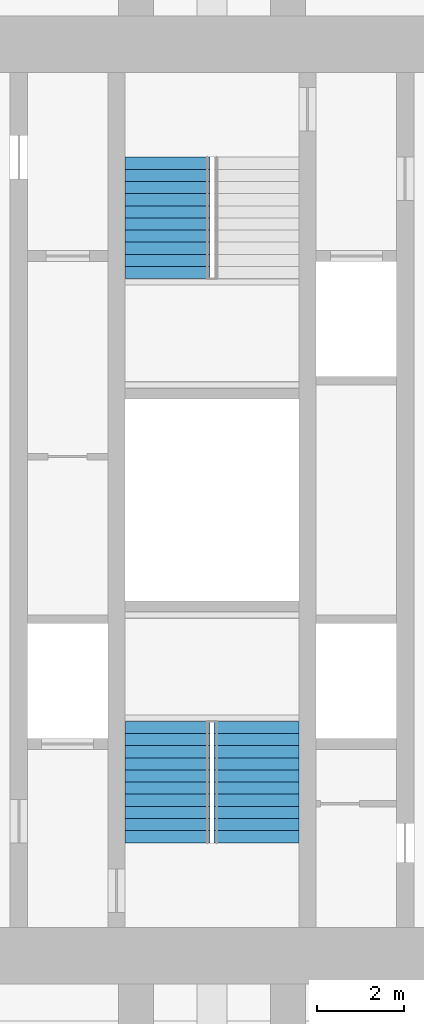
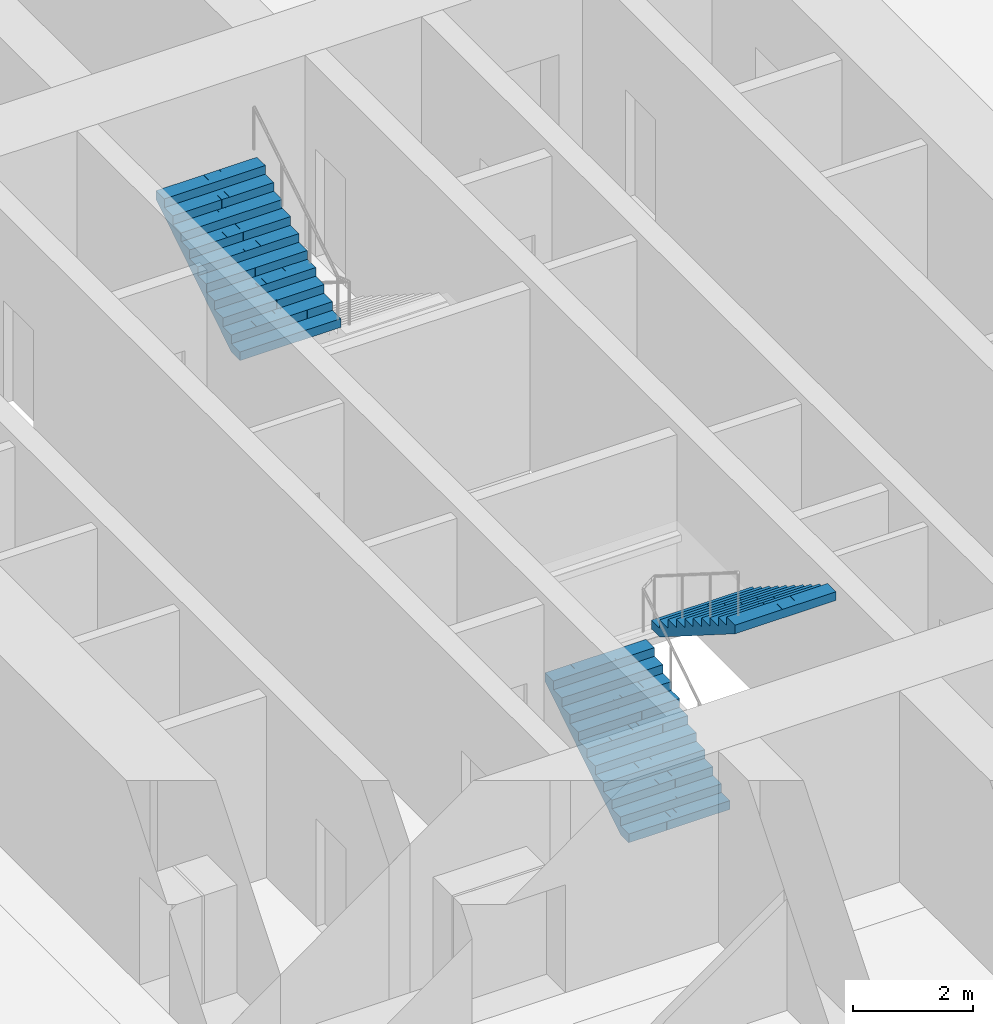
# One storey, part 20 of 22: 3 stair flights, 2 elements without a shape of their own.
"""IFC4 building model written with IfcOpenShell, lengths in metres."""

from ifc_helpers import new_model, si_unit, direction, frame, origin, place, context, subcontext, project, spatial, polyline, outline, extrude, material, type_object, element, aggregate, save


model = new_model("IFC4")

# Units and contexts
model_context = context("Model", 3, precision=1e-05, world=origin(), true_north=direction((0.0, 1.0)))
body_context = subcontext(model_context, "Body", "Model", "MODEL_VIEW")
ifc_project = project(units=[si_unit("LENGTHUNIT", "METRE"), si_unit("AREAUNIT", "SQUARE_METRE"), si_unit("VOLUMEUNIT", "CUBIC_METRE"), si_unit("PLANEANGLEUNIT", "RADIAN"), si_unit("MASSUNIT", "GRAM", prefix="KILO")], contexts=[model_context])

# Site, building, storey
site_placement = place(None, origin())
site = spatial("IfcSite", under=ifc_project, at=site_placement, CompositionType="ELEMENT")
building_placement = place(site_placement, origin())
building = spatial("IfcBuilding", under=site, at=building_placement, Name="Mizan Broadcast Tower", CompositionType="ELEMENT")
storey_placement = place(building_placement, frame((0.0, 0.0, 47.39990234375)))
storey = spatial("IfcBuildingStorey", under=building, at=storey_placement, Name="L08", CompositionType="ELEMENT", Elevation=47.39990234375)

# Stair, stair flights
ifc_material_1 = material(Name="Concrete C40/50", Category="concrete")
stair_type = type_object("IfcStairType", Name="EXIT STAIR", PredefinedType="HALF_TURN_STAIR", material=ifc_material_1)
stair_1_placement = place(storey_placement, origin())
stair_1 = element("IfcStair", 1, at=stair_1_placement, inside=storey, type_object=stair_type, Name="Stair A L08", PredefinedType="HALF_TURN_STAIR")
ifc_material_2 = material(Name="Concrete C40/50", Category="concrete")
stair_flight_type = type_object("IfcStairFlightType", Name="EXIT STAIR FLIGHT", PredefinedType="STRAIGHT", material=ifc_material_2)
stair_flight_1_placement = place(storey_placement, frame((-1.02490234375, -7.89990234375, 0.0), z_axis=(0.0, 0.0, 1.0), x_axis=(0.0, 1.0, 0.0)))
stair_flight_1 = element("IfcStairFlight", 2, at=stair_flight_1_placement, type_object=stair_flight_type, Name="A flight 1", NumberOfRisers=11, NumberOfTreads=10, PredefinedType="STRAIGHT", RiserHeight=0.177272727, TreadLength=0.28, context=body_context, shape_type="SweptSolid", body=[
    extrude(outline(polyline([(0.0, 0.0), (0.0, 0.17724609375), (0.280029296875, 0.17724609375), (0.280029296875, 0.3544921875), (0.56005859375, 0.3544921875), (0.56005859375, 0.53173828125), (0.840087890625, 0.53173828125), (0.840087890625, 0.708984375), (1.1201171875, 0.708984375), (1.1201171875, 0.886474609375), (1.39990234375, 0.886474609375), (1.39990234375, 1.063720703125), (1.679931640625, 1.063720703125), (1.679931640625, 1.240966796875), (1.9599609375, 1.240966796875), (1.9599609375, 1.418212890625), (2.239990234375, 1.418212890625), (2.239990234375, 1.595458984375), (2.52001953125, 1.595458984375), (2.52001953125, 1.772705078125), (2.800048828125, 1.772705078125), (2.800048828125, 1.949951171875), (2.800048828125, 1.59521484375), (0.2802734375, 0.0), (0.0, 0.0)])), frame((0.0, 0.97509765625, 0.0), z_axis=(0.0, -1.0, 0.0), x_axis=(1.0, 0.0, 0.0)), (0.0, 0.0, 1.0), 0.4873046875),
    extrude(outline(polyline([(0.0, 0.0), (0.0, 0.17724609375), (0.280029296875, 0.17724609375), (0.280029296875, 0.3544921875), (0.56005859375, 0.3544921875), (0.56005859375, 0.53173828125), (0.840087890625, 0.53173828125), (0.840087890625, 0.708984375), (1.1201171875, 0.708984375), (1.1201171875, 0.886474609375), (1.39990234375, 0.886474609375), (1.39990234375, 1.063720703125), (1.679931640625, 1.063720703125), (1.679931640625, 1.240966796875), (1.9599609375, 1.240966796875), (1.9599609375, 1.418212890625), (2.239990234375, 1.418212890625), (2.239990234375, 1.595458984375), (2.52001953125, 1.595458984375), (2.52001953125, 1.772705078125), (2.800048828125, 1.772705078125), (2.800048828125, 1.949951171875), (2.800048828125, 1.59521484375), (0.2802734375, 0.0), (0.0, 0.0)])), frame((0.0, 0.4873046875, 0.0), z_axis=(0.0, -1.0, 0.0), x_axis=(1.0, 0.0, 0.0)), (0.0, 0.0, 1.0), 0.2431640625),
    extrude(outline(polyline([(0.0, 0.0), (0.0, 0.17724609375), (0.280029296875, 0.17724609375), (0.280029296875, 0.3544921875), (0.56005859375, 0.3544921875), (0.56005859375, 0.53173828125), (0.840087890625, 0.53173828125), (0.840087890625, 0.708984375), (1.1201171875, 0.708984375), (1.1201171875, 0.886474609375), (1.39990234375, 0.886474609375), (1.39990234375, 1.063720703125), (1.679931640625, 1.063720703125), (1.679931640625, 1.240966796875), (1.9599609375, 1.240966796875), (1.9599609375, 1.418212890625), (2.239990234375, 1.418212890625), (2.239990234375, 1.595458984375), (2.52001953125, 1.595458984375), (2.52001953125, 1.772705078125), (2.800048828125, 1.772705078125), (2.800048828125, 1.949951171875), (2.800048828125, 1.59521484375), (0.2802734375, 0.0), (0.0, 0.0)])), frame((0.0, 0.24365234375, 0.0), z_axis=(0.0, -1.0, 0.0), x_axis=(1.0, 0.0, 0.0)), (0.0, 0.0, 1.0), 0.121337890625),
    extrude(outline(polyline([(0.0, 0.0), (0.0, 0.17724609375), (0.280029296875, 0.17724609375), (0.280029296875, 0.3544921875), (0.56005859375, 0.3544921875), (0.56005859375, 0.53173828125), (0.840087890625, 0.53173828125), (0.840087890625, 0.708984375), (1.1201171875, 0.708984375), (1.1201171875, 0.886474609375), (1.39990234375, 0.886474609375), (1.39990234375, 1.063720703125), (1.679931640625, 1.063720703125), (1.679931640625, 1.240966796875), (1.9599609375, 1.240966796875), (1.9599609375, 1.418212890625), (2.239990234375, 1.418212890625), (2.239990234375, 1.595458984375), (2.52001953125, 1.595458984375), (2.52001953125, 1.772705078125), (2.800048828125, 1.772705078125), (2.800048828125, 1.949951171875), (2.800048828125, 1.59521484375), (0.2802734375, 0.0), (0.0, 0.0)])), frame((0.0, 0.121826171875, 0.0), z_axis=(0.0, -1.0, 0.0), x_axis=(1.0, 0.0, 0.0)), (0.0, 0.0, 1.0), 0.060546875),
    extrude(outline(polyline([(0.0, 0.0), (0.0, 0.17724609375), (0.280029296875, 0.17724609375), (0.280029296875, 0.3544921875), (0.56005859375, 0.3544921875), (0.56005859375, 0.53173828125), (0.840087890625, 0.53173828125), (0.840087890625, 0.708984375), (1.1201171875, 0.708984375), (1.1201171875, 0.886474609375), (1.39990234375, 0.886474609375), (1.39990234375, 1.063720703125), (1.679931640625, 1.063720703125), (1.679931640625, 1.240966796875), (1.9599609375, 1.240966796875), (1.9599609375, 1.418212890625), (2.239990234375, 1.418212890625), (2.239990234375, 1.595458984375), (2.52001953125, 1.595458984375), (2.52001953125, 1.772705078125), (2.800048828125, 1.772705078125), (2.800048828125, 1.949951171875), (2.800048828125, 1.59521484375), (0.2802734375, 0.0), (0.0, 0.0)])), frame((0.0, 0.060791015625, 0.0), z_axis=(0.0, -1.0, 0.0), x_axis=(1.0, 0.0, 0.0)), (0.0, 0.0, 1.0), 0.030029296875),
    extrude(outline(polyline([(0.0, 0.0), (0.0, 0.17724609375), (0.280029296875, 0.17724609375), (0.280029296875, 0.3544921875), (0.56005859375, 0.3544921875), (0.56005859375, 0.53173828125), (0.840087890625, 0.53173828125), (0.840087890625, 0.708984375), (1.1201171875, 0.708984375), (1.1201171875, 0.886474609375), (1.39990234375, 0.886474609375), (1.39990234375, 1.063720703125), (1.679931640625, 1.063720703125), (1.679931640625, 1.240966796875), (1.9599609375, 1.240966796875), (1.9599609375, 1.418212890625), (2.239990234375, 1.418212890625), (2.239990234375, 1.595458984375), (2.52001953125, 1.595458984375), (2.52001953125, 1.772705078125), (2.800048828125, 1.772705078125), (2.800048828125, 1.949951171875), (2.800048828125, 1.59521484375), (0.2802734375, 0.0), (0.0, 0.0)])), frame((0.0, 0.0302734375, 0.0), z_axis=(0.0, -1.0, 0.0), x_axis=(1.0, 0.0, 0.0)), (0.0, 0.0, 1.0), 0.060302734375),
    extrude(outline(polyline([(0.0, 0.0), (0.0, 0.17724609375), (0.280029296875, 0.17724609375), (0.280029296875, 0.3544921875), (0.56005859375, 0.3544921875), (0.56005859375, 0.53173828125), (0.840087890625, 0.53173828125), (0.840087890625, 0.708984375), (1.1201171875, 0.708984375), (1.1201171875, 0.886474609375), (1.39990234375, 0.886474609375), (1.39990234375, 1.063720703125), (1.679931640625, 1.063720703125), (1.679931640625, 1.240966796875), (1.9599609375, 1.240966796875), (1.9599609375, 1.418212890625), (2.239990234375, 1.418212890625), (2.239990234375, 1.595458984375), (2.52001953125, 1.595458984375), (2.52001953125, 1.772705078125), (2.800048828125, 1.772705078125), (2.800048828125, 1.949951171875), (2.800048828125, 1.59521484375), (0.2802734375, 0.0), (0.0, 0.0)])), frame((0.0, -0.030517578125, 0.0), z_axis=(0.0, -1.0, 0.0), x_axis=(1.0, 0.0, 0.0)), (0.0, 0.0, 1.0), 0.030029296875),
    extrude(outline(polyline([(0.0, 0.0), (0.0, 0.17724609375), (0.280029296875, 0.17724609375), (0.280029296875, 0.3544921875), (0.56005859375, 0.3544921875), (0.56005859375, 0.53173828125), (0.840087890625, 0.53173828125), (0.840087890625, 0.708984375), (1.1201171875, 0.708984375), (1.1201171875, 0.886474609375), (1.39990234375, 0.886474609375), (1.39990234375, 1.063720703125), (1.679931640625, 1.063720703125), (1.679931640625, 1.240966796875), (1.9599609375, 1.240966796875), (1.9599609375, 1.418212890625), (2.239990234375, 1.418212890625), (2.239990234375, 1.595458984375), (2.52001953125, 1.595458984375), (2.52001953125, 1.772705078125), (2.800048828125, 1.772705078125), (2.800048828125, 1.949951171875), (2.800048828125, 1.59521484375), (0.2802734375, 0.0), (0.0, 0.0)])), frame((0.0, -0.06103515625, 0.0), z_axis=(0.0, -1.0, 0.0), x_axis=(1.0, 0.0, 0.0)), (0.0, 0.0, 1.0), 0.060546875),
    extrude(outline(polyline([(0.0, 0.0), (0.0, 0.17724609375), (0.280029296875, 0.17724609375), (0.280029296875, 0.3544921875), (0.56005859375, 0.3544921875), (0.56005859375, 0.53173828125), (0.840087890625, 0.53173828125), (0.840087890625, 0.708984375), (1.1201171875, 0.708984375), (1.1201171875, 0.886474609375), (1.39990234375, 0.886474609375), (1.39990234375, 1.063720703125), (1.679931640625, 1.063720703125), (1.679931640625, 1.240966796875), (1.9599609375, 1.240966796875), (1.9599609375, 1.418212890625), (2.239990234375, 1.418212890625), (2.239990234375, 1.595458984375), (2.52001953125, 1.595458984375), (2.52001953125, 1.772705078125), (2.800048828125, 1.772705078125), (2.800048828125, 1.949951171875), (2.800048828125, 1.59521484375), (0.2802734375, 0.0), (0.0, 0.0)])), frame((0.0, -0.1220703125, 0.0), z_axis=(0.0, -1.0, 0.0), x_axis=(1.0, 0.0, 0.0)), (0.0, 0.0, 1.0), 0.121337890625),
    extrude(outline(polyline([(0.0, 0.0), (0.0, 0.17724609375), (0.280029296875, 0.17724609375), (0.280029296875, 0.3544921875), (0.56005859375, 0.3544921875), (0.56005859375, 0.53173828125), (0.840087890625, 0.53173828125), (0.840087890625, 0.708984375), (1.1201171875, 0.708984375), (1.1201171875, 0.886474609375), (1.39990234375, 0.886474609375), (1.39990234375, 1.063720703125), (1.679931640625, 1.063720703125), (1.679931640625, 1.240966796875), (1.9599609375, 1.240966796875), (1.9599609375, 1.418212890625), (2.239990234375, 1.418212890625), (2.239990234375, 1.595458984375), (2.52001953125, 1.595458984375), (2.52001953125, 1.772705078125), (2.800048828125, 1.772705078125), (2.800048828125, 1.949951171875), (2.800048828125, 1.59521484375), (0.2802734375, 0.0), (0.0, 0.0)])), frame((0.0, -0.243896484375, 0.0), z_axis=(0.0, -1.0, 0.0), x_axis=(1.0, 0.0, 0.0)), (0.0, 0.0, 1.0), 0.2431640625),
    extrude(outline(polyline([(0.0, 0.0), (0.0, 0.17724609375), (0.280029296875, 0.17724609375), (0.280029296875, 0.3544921875), (0.56005859375, 0.3544921875), (0.56005859375, 0.53173828125), (0.840087890625, 0.53173828125), (0.840087890625, 0.708984375), (1.1201171875, 0.708984375), (1.1201171875, 0.886474609375), (1.39990234375, 0.886474609375), (1.39990234375, 1.063720703125), (1.679931640625, 1.063720703125), (1.679931640625, 1.240966796875), (1.9599609375, 1.240966796875), (1.9599609375, 1.418212890625), (2.239990234375, 1.418212890625), (2.239990234375, 1.595458984375), (2.52001953125, 1.595458984375), (2.52001953125, 1.772705078125), (2.800048828125, 1.772705078125), (2.800048828125, 1.949951171875), (2.800048828125, 1.59521484375), (0.2802734375, 0.0), (0.0, 0.0)])), frame((0.0, -0.487548828125, 0.0), z_axis=(0.0, -1.0, 0.0), x_axis=(1.0, 0.0, 0.0)), (0.0, 0.0, 1.0), 0.4873046875),
])
stair_flight_2_placement = place(storey_placement, frame((1.02490234375, -5.10009765625, 1.9501953125), z_axis=(0.0, 0.0, 1.0), x_axis=(0.0, -1.0, 0.0)))
stair_flight_2 = element("IfcStairFlight", 3, at=stair_flight_2_placement, type_object=stair_flight_type, Name="A flight 2", NumberOfRisers=11, NumberOfTreads=10, PredefinedType="STRAIGHT", RiserHeight=0.177272727, TreadLength=0.28, context=body_context, shape_type="SweptSolid", body=[
    extrude(outline(polyline([(0.0, 0.0), (0.0, 0.17724609375), (0.280029296875, 0.17724609375), (0.280029296875, 0.3544921875), (0.56005859375, 0.3544921875), (0.56005859375, 0.53173828125), (0.840087890625, 0.53173828125), (0.840087890625, 0.708984375), (1.1201171875, 0.708984375), (1.1201171875, 0.886474609375), (1.39990234375, 0.886474609375), (1.39990234375, 1.063720703125), (1.679931640625, 1.063720703125), (1.679931640625, 1.240966796875), (1.9599609375, 1.240966796875), (1.9599609375, 1.418212890625), (2.239990234375, 1.418212890625), (2.239990234375, 1.595458984375), (2.52001953125, 1.595458984375), (2.52001953125, 1.772705078125), (2.800048828125, 1.772705078125), (2.800048828125, 1.949951171875), (2.800048828125, 1.59521484375), (0.2802734375, 0.0), (0.0, 0.0)])), frame((0.0, 0.97509765625, 0.0), z_axis=(0.0, -1.0, 0.0), x_axis=(1.0, 0.0, 0.0)), (0.0, 0.0, 1.0), 0.4873046875),
    extrude(outline(polyline([(0.0, 0.0), (0.0, 0.17724609375), (0.280029296875, 0.17724609375), (0.280029296875, 0.3544921875), (0.56005859375, 0.3544921875), (0.56005859375, 0.53173828125), (0.840087890625, 0.53173828125), (0.840087890625, 0.708984375), (1.1201171875, 0.708984375), (1.1201171875, 0.886474609375), (1.39990234375, 0.886474609375), (1.39990234375, 1.063720703125), (1.679931640625, 1.063720703125), (1.679931640625, 1.240966796875), (1.9599609375, 1.240966796875), (1.9599609375, 1.418212890625), (2.239990234375, 1.418212890625), (2.239990234375, 1.595458984375), (2.52001953125, 1.595458984375), (2.52001953125, 1.772705078125), (2.800048828125, 1.772705078125), (2.800048828125, 1.949951171875), (2.800048828125, 1.59521484375), (0.2802734375, 0.0), (0.0, 0.0)])), frame((0.0, 0.4873046875, 0.0), z_axis=(0.0, -1.0, 0.0), x_axis=(1.0, 0.0, 0.0)), (0.0, 0.0, 1.0), 0.2431640625),
    extrude(outline(polyline([(0.0, 0.0), (0.0, 0.17724609375), (0.280029296875, 0.17724609375), (0.280029296875, 0.3544921875), (0.56005859375, 0.3544921875), (0.56005859375, 0.53173828125), (0.840087890625, 0.53173828125), (0.840087890625, 0.708984375), (1.1201171875, 0.708984375), (1.1201171875, 0.886474609375), (1.39990234375, 0.886474609375), (1.39990234375, 1.063720703125), (1.679931640625, 1.063720703125), (1.679931640625, 1.240966796875), (1.9599609375, 1.240966796875), (1.9599609375, 1.418212890625), (2.239990234375, 1.418212890625), (2.239990234375, 1.595458984375), (2.52001953125, 1.595458984375), (2.52001953125, 1.772705078125), (2.800048828125, 1.772705078125), (2.800048828125, 1.949951171875), (2.800048828125, 1.59521484375), (0.2802734375, 0.0), (0.0, 0.0)])), frame((0.0, 0.24365234375, 0.0), z_axis=(0.0, -1.0, 0.0), x_axis=(1.0, 0.0, 0.0)), (0.0, 0.0, 1.0), 0.121337890625),
    extrude(outline(polyline([(0.0, 0.0), (0.0, 0.17724609375), (0.280029296875, 0.17724609375), (0.280029296875, 0.3544921875), (0.56005859375, 0.3544921875), (0.56005859375, 0.53173828125), (0.840087890625, 0.53173828125), (0.840087890625, 0.708984375), (1.1201171875, 0.708984375), (1.1201171875, 0.886474609375), (1.39990234375, 0.886474609375), (1.39990234375, 1.063720703125), (1.679931640625, 1.063720703125), (1.679931640625, 1.240966796875), (1.9599609375, 1.240966796875), (1.9599609375, 1.418212890625), (2.239990234375, 1.418212890625), (2.239990234375, 1.595458984375), (2.52001953125, 1.595458984375), (2.52001953125, 1.772705078125), (2.800048828125, 1.772705078125), (2.800048828125, 1.949951171875), (2.800048828125, 1.59521484375), (0.2802734375, 0.0), (0.0, 0.0)])), frame((0.0, 0.121826171875, 0.0), z_axis=(0.0, -1.0, 0.0), x_axis=(1.0, 0.0, 0.0)), (0.0, 0.0, 1.0), 0.060546875),
    extrude(outline(polyline([(0.0, 0.0), (0.0, 0.17724609375), (0.280029296875, 0.17724609375), (0.280029296875, 0.3544921875), (0.56005859375, 0.3544921875), (0.56005859375, 0.53173828125), (0.840087890625, 0.53173828125), (0.840087890625, 0.708984375), (1.1201171875, 0.708984375), (1.1201171875, 0.886474609375), (1.39990234375, 0.886474609375), (1.39990234375, 1.063720703125), (1.679931640625, 1.063720703125), (1.679931640625, 1.240966796875), (1.9599609375, 1.240966796875), (1.9599609375, 1.418212890625), (2.239990234375, 1.418212890625), (2.239990234375, 1.595458984375), (2.52001953125, 1.595458984375), (2.52001953125, 1.772705078125), (2.800048828125, 1.772705078125), (2.800048828125, 1.949951171875), (2.800048828125, 1.59521484375), (0.2802734375, 0.0), (0.0, 0.0)])), frame((0.0, 0.060791015625, 0.0), z_axis=(0.0, -1.0, 0.0), x_axis=(1.0, 0.0, 0.0)), (0.0, 0.0, 1.0), 0.030029296875),
    extrude(outline(polyline([(0.0, 0.0), (0.0, 0.17724609375), (0.280029296875, 0.17724609375), (0.280029296875, 0.3544921875), (0.56005859375, 0.3544921875), (0.56005859375, 0.53173828125), (0.840087890625, 0.53173828125), (0.840087890625, 0.708984375), (1.1201171875, 0.708984375), (1.1201171875, 0.886474609375), (1.39990234375, 0.886474609375), (1.39990234375, 1.063720703125), (1.679931640625, 1.063720703125), (1.679931640625, 1.240966796875), (1.9599609375, 1.240966796875), (1.9599609375, 1.418212890625), (2.239990234375, 1.418212890625), (2.239990234375, 1.595458984375), (2.52001953125, 1.595458984375), (2.52001953125, 1.772705078125), (2.800048828125, 1.772705078125), (2.800048828125, 1.949951171875), (2.800048828125, 1.59521484375), (0.2802734375, 0.0), (0.0, 0.0)])), frame((0.0, 0.0302734375, 0.0), z_axis=(0.0, -1.0, 0.0), x_axis=(1.0, 0.0, 0.0)), (0.0, 0.0, 1.0), 0.060302734375),
    extrude(outline(polyline([(0.0, 0.0), (0.0, 0.17724609375), (0.280029296875, 0.17724609375), (0.280029296875, 0.3544921875), (0.56005859375, 0.3544921875), (0.56005859375, 0.53173828125), (0.840087890625, 0.53173828125), (0.840087890625, 0.708984375), (1.1201171875, 0.708984375), (1.1201171875, 0.886474609375), (1.39990234375, 0.886474609375), (1.39990234375, 1.063720703125), (1.679931640625, 1.063720703125), (1.679931640625, 1.240966796875), (1.9599609375, 1.240966796875), (1.9599609375, 1.418212890625), (2.239990234375, 1.418212890625), (2.239990234375, 1.595458984375), (2.52001953125, 1.595458984375), (2.52001953125, 1.772705078125), (2.800048828125, 1.772705078125), (2.800048828125, 1.949951171875), (2.800048828125, 1.59521484375), (0.2802734375, 0.0), (0.0, 0.0)])), frame((0.0, -0.030517578125, 0.0), z_axis=(0.0, -1.0, 0.0), x_axis=(1.0, 0.0, 0.0)), (0.0, 0.0, 1.0), 0.030029296875),
    extrude(outline(polyline([(0.0, 0.0), (0.0, 0.17724609375), (0.280029296875, 0.17724609375), (0.280029296875, 0.3544921875), (0.56005859375, 0.3544921875), (0.56005859375, 0.53173828125), (0.840087890625, 0.53173828125), (0.840087890625, 0.708984375), (1.1201171875, 0.708984375), (1.1201171875, 0.886474609375), (1.39990234375, 0.886474609375), (1.39990234375, 1.063720703125), (1.679931640625, 1.063720703125), (1.679931640625, 1.240966796875), (1.9599609375, 1.240966796875), (1.9599609375, 1.418212890625), (2.239990234375, 1.418212890625), (2.239990234375, 1.595458984375), (2.52001953125, 1.595458984375), (2.52001953125, 1.772705078125), (2.800048828125, 1.772705078125), (2.800048828125, 1.949951171875), (2.800048828125, 1.59521484375), (0.2802734375, 0.0), (0.0, 0.0)])), frame((0.0, -0.06103515625, 0.0), z_axis=(0.0, -1.0, 0.0), x_axis=(1.0, 0.0, 0.0)), (0.0, 0.0, 1.0), 0.060546875),
    extrude(outline(polyline([(0.0, 0.0), (0.0, 0.17724609375), (0.280029296875, 0.17724609375), (0.280029296875, 0.3544921875), (0.56005859375, 0.3544921875), (0.56005859375, 0.53173828125), (0.840087890625, 0.53173828125), (0.840087890625, 0.708984375), (1.1201171875, 0.708984375), (1.1201171875, 0.886474609375), (1.39990234375, 0.886474609375), (1.39990234375, 1.063720703125), (1.679931640625, 1.063720703125), (1.679931640625, 1.240966796875), (1.9599609375, 1.240966796875), (1.9599609375, 1.418212890625), (2.239990234375, 1.418212890625), (2.239990234375, 1.595458984375), (2.52001953125, 1.595458984375), (2.52001953125, 1.772705078125), (2.800048828125, 1.772705078125), (2.800048828125, 1.949951171875), (2.800048828125, 1.59521484375), (0.2802734375, 0.0), (0.0, 0.0)])), frame((0.0, -0.1220703125, 0.0), z_axis=(0.0, -1.0, 0.0), x_axis=(1.0, 0.0, 0.0)), (0.0, 0.0, 1.0), 0.121337890625),
    extrude(outline(polyline([(0.0, 0.0), (0.0, 0.17724609375), (0.280029296875, 0.17724609375), (0.280029296875, 0.3544921875), (0.56005859375, 0.3544921875), (0.56005859375, 0.53173828125), (0.840087890625, 0.53173828125), (0.840087890625, 0.708984375), (1.1201171875, 0.708984375), (1.1201171875, 0.886474609375), (1.39990234375, 0.886474609375), (1.39990234375, 1.063720703125), (1.679931640625, 1.063720703125), (1.679931640625, 1.240966796875), (1.9599609375, 1.240966796875), (1.9599609375, 1.418212890625), (2.239990234375, 1.418212890625), (2.239990234375, 1.595458984375), (2.52001953125, 1.595458984375), (2.52001953125, 1.772705078125), (2.800048828125, 1.772705078125), (2.800048828125, 1.949951171875), (2.800048828125, 1.59521484375), (0.2802734375, 0.0), (0.0, 0.0)])), frame((0.0, -0.243896484375, 0.0), z_axis=(0.0, -1.0, 0.0), x_axis=(1.0, 0.0, 0.0)), (0.0, 0.0, 1.0), 0.2431640625),
    extrude(outline(polyline([(0.0, 0.0), (0.0, 0.17724609375), (0.280029296875, 0.17724609375), (0.280029296875, 0.3544921875), (0.56005859375, 0.3544921875), (0.56005859375, 0.53173828125), (0.840087890625, 0.53173828125), (0.840087890625, 0.708984375), (1.1201171875, 0.708984375), (1.1201171875, 0.886474609375), (1.39990234375, 0.886474609375), (1.39990234375, 1.063720703125), (1.679931640625, 1.063720703125), (1.679931640625, 1.240966796875), (1.9599609375, 1.240966796875), (1.9599609375, 1.418212890625), (2.239990234375, 1.418212890625), (2.239990234375, 1.595458984375), (2.52001953125, 1.595458984375), (2.52001953125, 1.772705078125), (2.800048828125, 1.772705078125), (2.800048828125, 1.949951171875), (2.800048828125, 1.59521484375), (0.2802734375, 0.0), (0.0, 0.0)])), frame((0.0, -0.487548828125, 0.0), z_axis=(0.0, -1.0, 0.0), x_axis=(1.0, 0.0, 0.0)), (0.0, 0.0, 1.0), 0.4873046875),
])
aggregate(stair_1, [stair_flight_1, stair_flight_2])

# Stair, stair flight
stair_2_placement = place(storey_placement, origin())
stair_2 = element("IfcStair", 4, at=stair_2_placement, inside=storey, type_object=stair_type, Name="Stair B L08", PredefinedType="HALF_TURN_STAIR")
stair_flight_3_placement = place(storey_placement, frame((-1.02490234375, 5.10009765625, 1.9501953125), z_axis=(0.0, 0.0, 1.0), x_axis=(0.0, 1.0, 0.0)))
stair_flight_3 = element("IfcStairFlight", 5, at=stair_flight_3_placement, type_object=stair_flight_type, Name="B flight 2", NumberOfRisers=11, NumberOfTreads=10, PredefinedType="STRAIGHT", RiserHeight=0.177272727, TreadLength=0.28, context=body_context, shape_type="SweptSolid", body=[
    extrude(outline(polyline([(0.0, 0.0), (0.0, 0.17724609375), (0.280029296875, 0.17724609375), (0.280029296875, 0.3544921875), (0.56005859375, 0.3544921875), (0.56005859375, 0.53173828125), (0.840087890625, 0.53173828125), (0.840087890625, 0.708984375), (1.1201171875, 0.708984375), (1.1201171875, 0.886474609375), (1.39990234375, 0.886474609375), (1.39990234375, 1.063720703125), (1.679931640625, 1.063720703125), (1.679931640625, 1.240966796875), (1.9599609375, 1.240966796875), (1.9599609375, 1.418212890625), (2.239990234375, 1.418212890625), (2.239990234375, 1.595458984375), (2.52001953125, 1.595458984375), (2.52001953125, 1.772705078125), (2.800048828125, 1.772705078125), (2.800048828125, 1.949951171875), (2.800048828125, 1.59521484375), (0.2802734375, 0.0), (0.0, 0.0)])), frame((0.0, 0.97509765625, 0.0), z_axis=(0.0, -1.0, 0.0), x_axis=(1.0, 0.0, 0.0)), (0.0, 0.0, 1.0), 0.4873046875),
    extrude(outline(polyline([(0.0, 0.0), (0.0, 0.17724609375), (0.280029296875, 0.17724609375), (0.280029296875, 0.3544921875), (0.56005859375, 0.3544921875), (0.56005859375, 0.53173828125), (0.840087890625, 0.53173828125), (0.840087890625, 0.708984375), (1.1201171875, 0.708984375), (1.1201171875, 0.886474609375), (1.39990234375, 0.886474609375), (1.39990234375, 1.063720703125), (1.679931640625, 1.063720703125), (1.679931640625, 1.240966796875), (1.9599609375, 1.240966796875), (1.9599609375, 1.418212890625), (2.239990234375, 1.418212890625), (2.239990234375, 1.595458984375), (2.52001953125, 1.595458984375), (2.52001953125, 1.772705078125), (2.800048828125, 1.772705078125), (2.800048828125, 1.949951171875), (2.800048828125, 1.59521484375), (0.2802734375, 0.0), (0.0, 0.0)])), frame((0.0, 0.4873046875, 0.0), z_axis=(0.0, -1.0, 0.0), x_axis=(1.0, 0.0, 0.0)), (0.0, 0.0, 1.0), 0.2431640625),
    extrude(outline(polyline([(0.0, 0.0), (0.0, 0.17724609375), (0.280029296875, 0.17724609375), (0.280029296875, 0.3544921875), (0.56005859375, 0.3544921875), (0.56005859375, 0.53173828125), (0.840087890625, 0.53173828125), (0.840087890625, 0.708984375), (1.1201171875, 0.708984375), (1.1201171875, 0.886474609375), (1.39990234375, 0.886474609375), (1.39990234375, 1.063720703125), (1.679931640625, 1.063720703125), (1.679931640625, 1.240966796875), (1.9599609375, 1.240966796875), (1.9599609375, 1.418212890625), (2.239990234375, 1.418212890625), (2.239990234375, 1.595458984375), (2.52001953125, 1.595458984375), (2.52001953125, 1.772705078125), (2.800048828125, 1.772705078125), (2.800048828125, 1.949951171875), (2.800048828125, 1.59521484375), (0.2802734375, 0.0), (0.0, 0.0)])), frame((0.0, 0.24365234375, 0.0), z_axis=(0.0, -1.0, 0.0), x_axis=(1.0, 0.0, 0.0)), (0.0, 0.0, 1.0), 0.121337890625),
    extrude(outline(polyline([(0.0, 0.0), (0.0, 0.17724609375), (0.280029296875, 0.17724609375), (0.280029296875, 0.3544921875), (0.56005859375, 0.3544921875), (0.56005859375, 0.53173828125), (0.840087890625, 0.53173828125), (0.840087890625, 0.708984375), (1.1201171875, 0.708984375), (1.1201171875, 0.886474609375), (1.39990234375, 0.886474609375), (1.39990234375, 1.063720703125), (1.679931640625, 1.063720703125), (1.679931640625, 1.240966796875), (1.9599609375, 1.240966796875), (1.9599609375, 1.418212890625), (2.239990234375, 1.418212890625), (2.239990234375, 1.595458984375), (2.52001953125, 1.595458984375), (2.52001953125, 1.772705078125), (2.800048828125, 1.772705078125), (2.800048828125, 1.949951171875), (2.800048828125, 1.59521484375), (0.2802734375, 0.0), (0.0, 0.0)])), frame((0.0, 0.121826171875, 0.0), z_axis=(0.0, -1.0, 0.0), x_axis=(1.0, 0.0, 0.0)), (0.0, 0.0, 1.0), 0.060546875),
    extrude(outline(polyline([(0.0, 0.0), (0.0, 0.17724609375), (0.280029296875, 0.17724609375), (0.280029296875, 0.3544921875), (0.56005859375, 0.3544921875), (0.56005859375, 0.53173828125), (0.840087890625, 0.53173828125), (0.840087890625, 0.708984375), (1.1201171875, 0.708984375), (1.1201171875, 0.886474609375), (1.39990234375, 0.886474609375), (1.39990234375, 1.063720703125), (1.679931640625, 1.063720703125), (1.679931640625, 1.240966796875), (1.9599609375, 1.240966796875), (1.9599609375, 1.418212890625), (2.239990234375, 1.418212890625), (2.239990234375, 1.595458984375), (2.52001953125, 1.595458984375), (2.52001953125, 1.772705078125), (2.800048828125, 1.772705078125), (2.800048828125, 1.949951171875), (2.800048828125, 1.59521484375), (0.2802734375, 0.0), (0.0, 0.0)])), frame((0.0, 0.060791015625, 0.0), z_axis=(0.0, -1.0, 0.0), x_axis=(1.0, 0.0, 0.0)), (0.0, 0.0, 1.0), 0.030029296875),
    extrude(outline(polyline([(0.0, 0.0), (0.0, 0.17724609375), (0.280029296875, 0.17724609375), (0.280029296875, 0.3544921875), (0.56005859375, 0.3544921875), (0.56005859375, 0.53173828125), (0.840087890625, 0.53173828125), (0.840087890625, 0.708984375), (1.1201171875, 0.708984375), (1.1201171875, 0.886474609375), (1.39990234375, 0.886474609375), (1.39990234375, 1.063720703125), (1.679931640625, 1.063720703125), (1.679931640625, 1.240966796875), (1.9599609375, 1.240966796875), (1.9599609375, 1.418212890625), (2.239990234375, 1.418212890625), (2.239990234375, 1.595458984375), (2.52001953125, 1.595458984375), (2.52001953125, 1.772705078125), (2.800048828125, 1.772705078125), (2.800048828125, 1.949951171875), (2.800048828125, 1.59521484375), (0.2802734375, 0.0), (0.0, 0.0)])), frame((0.0, 0.0302734375, 0.0), z_axis=(0.0, -1.0, 0.0), x_axis=(1.0, 0.0, 0.0)), (0.0, 0.0, 1.0), 0.060302734375),
    extrude(outline(polyline([(0.0, 0.0), (0.0, 0.17724609375), (0.280029296875, 0.17724609375), (0.280029296875, 0.3544921875), (0.56005859375, 0.3544921875), (0.56005859375, 0.53173828125), (0.840087890625, 0.53173828125), (0.840087890625, 0.708984375), (1.1201171875, 0.708984375), (1.1201171875, 0.886474609375), (1.39990234375, 0.886474609375), (1.39990234375, 1.063720703125), (1.679931640625, 1.063720703125), (1.679931640625, 1.240966796875), (1.9599609375, 1.240966796875), (1.9599609375, 1.418212890625), (2.239990234375, 1.418212890625), (2.239990234375, 1.595458984375), (2.52001953125, 1.595458984375), (2.52001953125, 1.772705078125), (2.800048828125, 1.772705078125), (2.800048828125, 1.949951171875), (2.800048828125, 1.59521484375), (0.2802734375, 0.0), (0.0, 0.0)])), frame((0.0, -0.030517578125, 0.0), z_axis=(0.0, -1.0, 0.0), x_axis=(1.0, 0.0, 0.0)), (0.0, 0.0, 1.0), 0.030029296875),
    extrude(outline(polyline([(0.0, 0.0), (0.0, 0.17724609375), (0.280029296875, 0.17724609375), (0.280029296875, 0.3544921875), (0.56005859375, 0.3544921875), (0.56005859375, 0.53173828125), (0.840087890625, 0.53173828125), (0.840087890625, 0.708984375), (1.1201171875, 0.708984375), (1.1201171875, 0.886474609375), (1.39990234375, 0.886474609375), (1.39990234375, 1.063720703125), (1.679931640625, 1.063720703125), (1.679931640625, 1.240966796875), (1.9599609375, 1.240966796875), (1.9599609375, 1.418212890625), (2.239990234375, 1.418212890625), (2.239990234375, 1.595458984375), (2.52001953125, 1.595458984375), (2.52001953125, 1.772705078125), (2.800048828125, 1.772705078125), (2.800048828125, 1.949951171875), (2.800048828125, 1.59521484375), (0.2802734375, 0.0), (0.0, 0.0)])), frame((0.0, -0.06103515625, 0.0), z_axis=(0.0, -1.0, 0.0), x_axis=(1.0, 0.0, 0.0)), (0.0, 0.0, 1.0), 0.060546875),
    extrude(outline(polyline([(0.0, 0.0), (0.0, 0.17724609375), (0.280029296875, 0.17724609375), (0.280029296875, 0.3544921875), (0.56005859375, 0.3544921875), (0.56005859375, 0.53173828125), (0.840087890625, 0.53173828125), (0.840087890625, 0.708984375), (1.1201171875, 0.708984375), (1.1201171875, 0.886474609375), (1.39990234375, 0.886474609375), (1.39990234375, 1.063720703125), (1.679931640625, 1.063720703125), (1.679931640625, 1.240966796875), (1.9599609375, 1.240966796875), (1.9599609375, 1.418212890625), (2.239990234375, 1.418212890625), (2.239990234375, 1.595458984375), (2.52001953125, 1.595458984375), (2.52001953125, 1.772705078125), (2.800048828125, 1.772705078125), (2.800048828125, 1.949951171875), (2.800048828125, 1.59521484375), (0.2802734375, 0.0), (0.0, 0.0)])), frame((0.0, -0.1220703125, 0.0), z_axis=(0.0, -1.0, 0.0), x_axis=(1.0, 0.0, 0.0)), (0.0, 0.0, 1.0), 0.121337890625),
    extrude(outline(polyline([(0.0, 0.0), (0.0, 0.17724609375), (0.280029296875, 0.17724609375), (0.280029296875, 0.3544921875), (0.56005859375, 0.3544921875), (0.56005859375, 0.53173828125), (0.840087890625, 0.53173828125), (0.840087890625, 0.708984375), (1.1201171875, 0.708984375), (1.1201171875, 0.886474609375), (1.39990234375, 0.886474609375), (1.39990234375, 1.063720703125), (1.679931640625, 1.063720703125), (1.679931640625, 1.240966796875), (1.9599609375, 1.240966796875), (1.9599609375, 1.418212890625), (2.239990234375, 1.418212890625), (2.239990234375, 1.595458984375), (2.52001953125, 1.595458984375), (2.52001953125, 1.772705078125), (2.800048828125, 1.772705078125), (2.800048828125, 1.949951171875), (2.800048828125, 1.59521484375), (0.2802734375, 0.0), (0.0, 0.0)])), frame((0.0, -0.243896484375, 0.0), z_axis=(0.0, -1.0, 0.0), x_axis=(1.0, 0.0, 0.0)), (0.0, 0.0, 1.0), 0.2431640625),
    extrude(outline(polyline([(0.0, 0.0), (0.0, 0.17724609375), (0.280029296875, 0.17724609375), (0.280029296875, 0.3544921875), (0.56005859375, 0.3544921875), (0.56005859375, 0.53173828125), (0.840087890625, 0.53173828125), (0.840087890625, 0.708984375), (1.1201171875, 0.708984375), (1.1201171875, 0.886474609375), (1.39990234375, 0.886474609375), (1.39990234375, 1.063720703125), (1.679931640625, 1.063720703125), (1.679931640625, 1.240966796875), (1.9599609375, 1.240966796875), (1.9599609375, 1.418212890625), (2.239990234375, 1.418212890625), (2.239990234375, 1.595458984375), (2.52001953125, 1.595458984375), (2.52001953125, 1.772705078125), (2.800048828125, 1.772705078125), (2.800048828125, 1.949951171875), (2.800048828125, 1.59521484375), (0.2802734375, 0.0), (0.0, 0.0)])), frame((0.0, -0.487548828125, 0.0), z_axis=(0.0, -1.0, 0.0), x_axis=(1.0, 0.0, 0.0)), (0.0, 0.0, 1.0), 0.4873046875),
])
aggregate(stair_2, [stair_flight_3])

save(model, "model.ifc")
